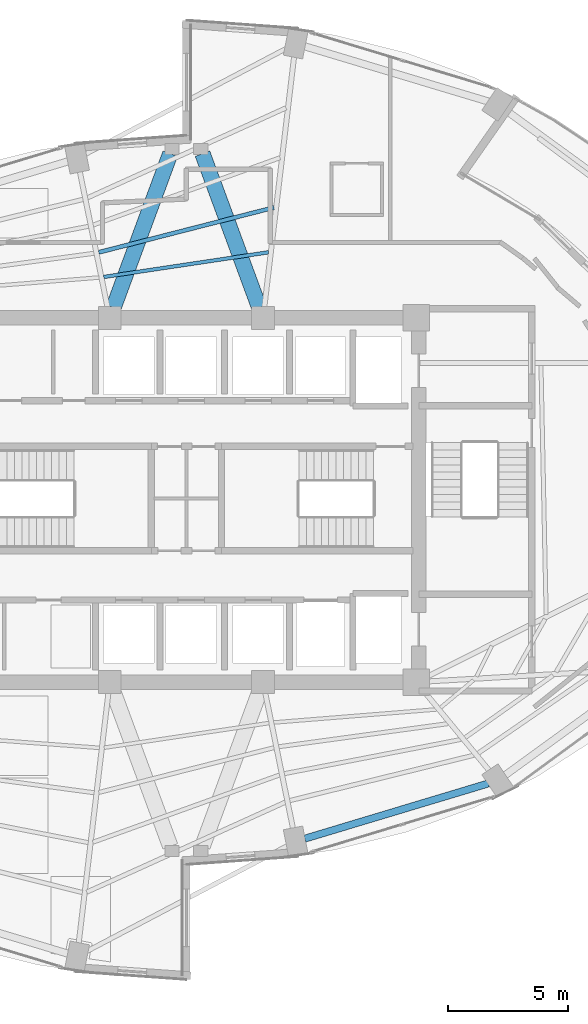
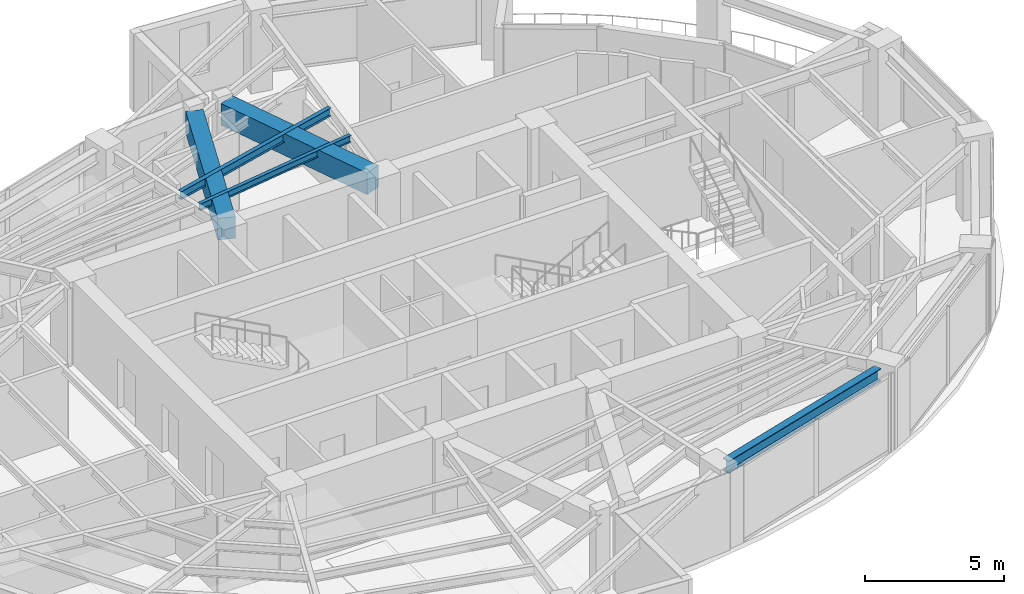
# One storey, part 8 of 19: 5 beams.
"""IFC4 building model written with IfcOpenShell, lengths in metres."""

from ifc_helpers import new_model, si_unit, direction, frame, origin, origin_2d, place, context, subcontext, project, spatial, rectangle, i_section, extrude, material, material_profile, profile_set, type_object, element, save


model = new_model("IFC4")

# Units and contexts
model_context = context("Model", 3, precision=1e-05, world=origin(), true_north=direction((0.0, 1.0)))
body_context = subcontext(model_context, "Body", "Model", "MODEL_VIEW")
ifc_project = project(units=[si_unit("LENGTHUNIT", "METRE"), si_unit("AREAUNIT", "SQUARE_METRE"), si_unit("VOLUMEUNIT", "CUBIC_METRE"), si_unit("PLANEANGLEUNIT", "RADIAN"), si_unit("MASSUNIT", "GRAM", prefix="KILO")], contexts=[model_context])

# Site, building, storey
site_placement = place(None, origin())
site = spatial("IfcSite", under=ifc_project, at=site_placement, CompositionType="ELEMENT")
building_placement = place(site_placement, origin())
building = spatial("IfcBuilding", under=site, at=building_placement, Name="Lazwardi Medical Tower", CompositionType="ELEMENT")
storey_placement = place(building_placement, frame((0.0, 0.0, 163.823974609375)))
storey = spatial("IfcBuildingStorey", under=building, at=storey_placement, Name="L42", CompositionType="ELEMENT", Elevation=163.823974609375)

# Beams
ifc_material_1 = material(Name="Concrete C60/75", Category="concrete")
ifc_material_profile_1 = material_profile(ifc_material_1, rectangle(XDim=0.64990234375, YDim=0.949951171875, at=origin_2d()), Name="RC 650x950")
ifc_profile_set_1 = profile_set([ifc_material_profile_1], Name="Concrete C60/75")
beam_type_1 = type_object("IfcBeamType", Name="BM-CB-RC2", PredefinedType="LINTEL", material=ifc_profile_set_1)
for number, where, z_axis, x_axis, name in (
    (1, (32.959228515625, 36.031494140625, 2.953125), (0.34601281054, 0.938229787921, 0.0), (-0.938229787921, 0.34601281054, 0.0), "Core coupling lintel CB-02 PL1 L42"),
    (2, (39.040771484375, 36.031494140625, 2.953125), (-0.34601281054, 0.938229787921, 0.0), (-0.938229787921, -0.34601281054, 0.0), "Core coupling lintel CB-02 PL2 L42"),
):
    element("IfcBeam", number, at=place(storey_placement, frame(where, z_axis=z_axis, x_axis=x_axis)), inside=storey, type_object=beam_type_1, Name=name, PredefinedType="LINTEL", context=body_context, shape_type="SweptSolid", body=[
        extrude(rectangle(XDim=0.64990234375, YDim=0.949951171875, at=origin_2d()), origin(), (0.0, 0.0, 1.0), 6.84423828125),
    ])
ifc_material_2 = material(Name="Steel S355", Category="steel")
ifc_material_profile_2 = material_profile(ifc_material_2, i_section(OverallWidth=0.300048828125, OverallDepth=0.550048828125, WebThickness=0.014892578125, FlangeThickness=0.029052734375, at=origin_2d()), Name="HEB 550")
ifc_profile_set_2 = profile_set([ifc_material_profile_2], Name="Steel S355")
beam_type_2 = type_object("IfcBeamType", Name="BM-RB-Z3", PredefinedType="BEAM", material=ifc_profile_set_2)
beam_1_placement = place(storey_placement, frame((40.943115234375, 13.866455078125, 3.153076171875), z_axis=(0.957616873483, 0.288045002771, 0.0), x_axis=(-0.288045002771, 0.957616873483, 0.0)))
element("IfcBeam", 3, at=beam_1_placement, inside=storey, type_object=beam_type_2, Name="Ring beam RB-04 B01 L42", PredefinedType="BEAM", context=body_context, shape_type="SweptSolid", body=[
    extrude(i_section(OverallWidth=0.300048828125, OverallDepth=0.550048828125, WebThickness=0.014892578125, FlangeThickness=0.029052734375, at=origin_2d()), origin(), (0.0, 0.0, 1.0), 7.99951171875),
])
ifc_material_profile_3 = material_profile(ifc_material_2, i_section(OverallWidth=0.169921875, OverallDepth=0.360107421875, WebThickness=0.008056640625, FlangeThickness=0.0126953125, at=origin_2d()), Name="IPE 360")
ifc_profile_set_3 = profile_set([ifc_material_profile_3], Name="Steel S355")
beam_type_3 = type_object("IfcBeamType", Name="BM-SJ-02", PredefinedType="JOIST", material=ifc_profile_set_3)
beam_2_placement = place(storey_placement, frame((39.6533203125, 40.206298828125, 3.248046875), z_axis=(-0.96877632572, -0.247936344097, 0.0), x_axis=(0.247936344097, -0.96877632572, 0.0)))
element("IfcBeam", 4, at=beam_2_placement, inside=storey, type_object=beam_type_3, Name="Secondary joist SJ-02 R3 B08 L42", PredefinedType="JOIST", context=body_context, shape_type="SweptSolid", body=[
    extrude(i_section(OverallWidth=0.169921875, OverallDepth=0.360107421875, WebThickness=0.008056640625, FlangeThickness=0.0126953125, at=origin_2d()), origin(), (0.0, 0.0, 1.0), 7.546630859375),
])
ifc_material_profile_4 = material_profile(ifc_material_2, i_section(OverallWidth=0.14990234375, OverallDepth=0.300048828125, WebThickness=0.007080078125, FlangeThickness=0.0107421875, at=origin_2d()), Name="IPE 300")
ifc_profile_set_4 = profile_set([ifc_material_profile_4], Name="Steel S355")
beam_type_4 = type_object("IfcBeamType", Name="BM-SJ-03", PredefinedType="JOIST", material=ifc_profile_set_4)
beam_3_placement = place(storey_placement, frame((39.42822265625, 38.337890625, 3.278076171875), z_axis=(-0.98897469849, -0.148084589835, 0.0), x_axis=(0.148084589835, -0.98897469849, 0.0)))
element("IfcBeam", 5, at=beam_3_placement, inside=storey, type_object=beam_type_4, Name="Secondary joist SJ-03 R4 B08 L42", PredefinedType="JOIST", context=body_context, shape_type="SweptSolid", body=[
    extrude(i_section(OverallWidth=0.14990234375, OverallDepth=0.300048828125, WebThickness=0.007080078125, FlangeThickness=0.0107421875, at=origin_2d()), origin(), (0.0, 0.0, 1.0), 6.952392578125),
])

save(model, "model.ifc")
